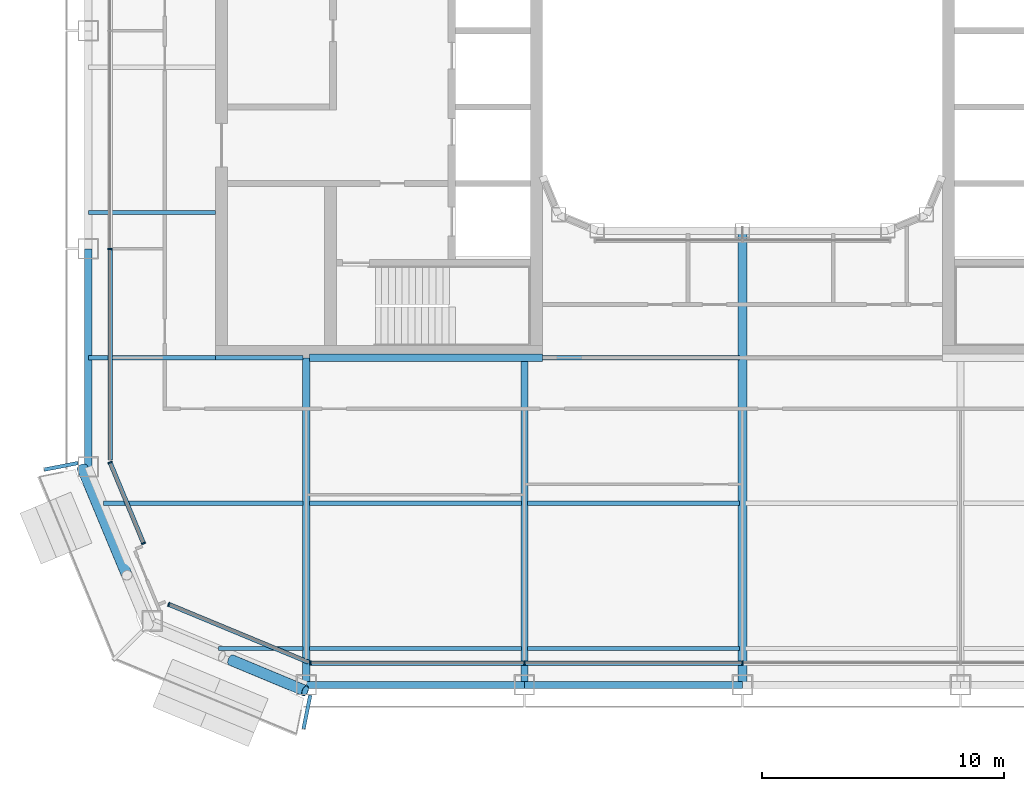
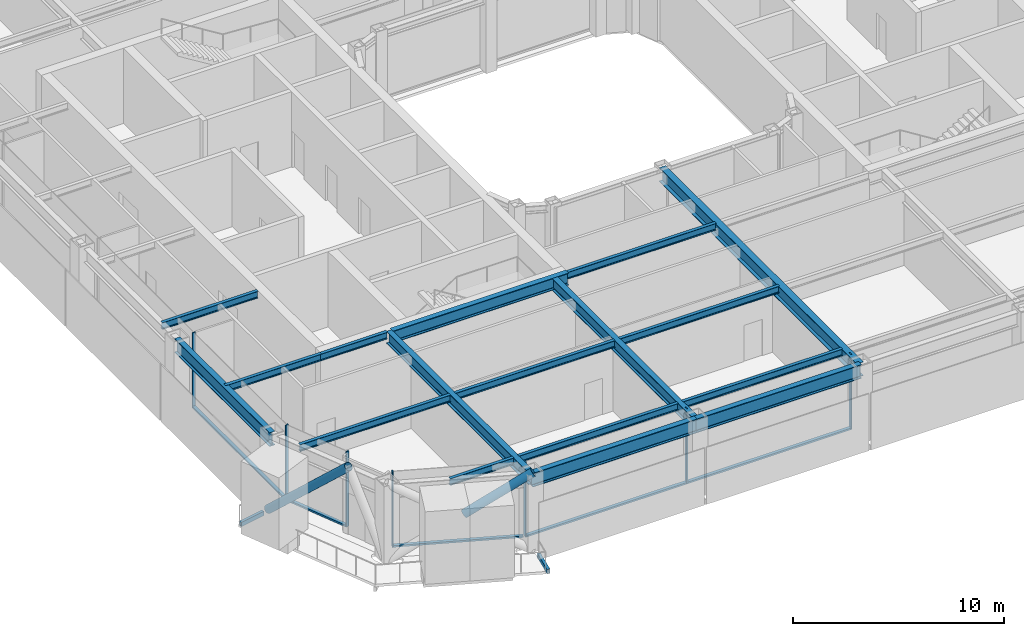
# One storey, part 2 of 23: 19 beams, 14 members, 4 elements without a shape of their own.
"""IFC4 building model written with IfcOpenShell, lengths in metres."""

from ifc_helpers import new_model, si_unit, direction, frame, origin, origin_2d, place, context, subcontext, project, spatial, rectangle, hollow_rectangle, hollow_circle, i_section, extrude, material, layer, layer_set, material_profile, profile_set, type_object, element, aggregate, save


model = new_model("IFC4")

# Units and contexts
model_context = context("Model", 3, precision=1e-05, world=origin(), true_north=direction((0.0, 1.0)))
body_context = subcontext(model_context, "Body", "Model", "MODEL_VIEW")
ifc_project = project(units=[si_unit("LENGTHUNIT", "METRE"), si_unit("AREAUNIT", "SQUARE_METRE"), si_unit("VOLUMEUNIT", "CUBIC_METRE"), si_unit("PLANEANGLEUNIT", "RADIAN"), si_unit("MASSUNIT", "GRAM", prefix="KILO")], contexts=[model_context])

# Site, building, storey
site_placement = place(None, origin())
site = spatial("IfcSite", under=ifc_project, at=site_placement, CompositionType="ELEMENT")
building_placement = place(site_placement, origin())
building = spatial("IfcBuilding", under=site, at=building_placement, Name="Siwar Civic Tower", CompositionType="ELEMENT")
storey_placement = place(building_placement, frame((0.0, 0.0, 233.199951171875)))
storey = spatial("IfcBuildingStorey", under=building, at=storey_placement, Name="L50", CompositionType="ELEMENT", Elevation=233.199951171875)

# Beams
ifc_material_1 = material(Name="Steel S355", Category="steel")
ifc_material_profile_1 = material_profile(ifc_material_1, hollow_rectangle(XDim=0.14990234375, YDim=0.25, WallThickness=0.010009765625, at=origin_2d()), Name="RHS250x150x10")
ifc_profile_set_1 = profile_set([ifc_material_profile_1], Name="Steel S355")
beam_type_1 = type_object("IfcBeamType", Name="ENV-BALCONY ARM", PredefinedType="BEAM", material=ifc_profile_set_1)
for number, where, z_axis, x_axis, name in (
    (1, (-27.425048828125, -17.83984375, -0.27490234375), (-0.980778884878, -0.195122471741, 0.0), (0.195122471741, -0.980778884878, 0.0), "Balcony cantilever beam SW 1"),
    (2, (-17.83984375, -27.425048828125, -0.27490234375), (-0.195122471741, -0.980778884878, 0.0), (0.980778884878, -0.195122471741, 0.0), "Balcony cantilever beam SW 3"),
):
    element("IfcBeam", number, at=place(storey_placement, frame(where, z_axis=z_axis, x_axis=x_axis)), inside=storey, type_object=beam_type_1, Name=name, PredefinedType="BEAM", context=body_context, shape_type="SweptSolid", body=[
        extrude(hollow_rectangle(XDim=0.14990234375, YDim=0.25, WallThickness=0.010009765625, at=origin_2d()), origin(), (0.0, 0.0, 1.0), 1.417724609375),
    ])

# Curtain wall, members
ifc_material_2 = material(Name="Aluminium and glass", Category="aluminium")
ifc_layer_1 = layer(ifc_material_2, 0.179931640625)
ifc_layer_set_1 = layer_set([ifc_layer_1], Name="Aluminium and glass")
curtain_wall_type_1 = type_object("IfcCurtainWallType", Name="ENV-CW-C", PredefinedType="NOTDEFINED", material=ifc_layer_set_1)
curtain_wall_1_placement = place(storey_placement, origin())
curtain_wall_1 = element("IfcCurtainWall", 3, at=curtain_wall_1_placement, inside=storey, type_object=curtain_wall_type_1, Name="Curtain wall C S", PredefinedType="NOTDEFINED")
ifc_material_3 = material(Name="Aluminium 6063-T6", Category="aluminium")
ifc_material_profile_2 = material_profile(ifc_material_3, rectangle(XDim=0.179931640625, YDim=0.06005859375, at=origin_2d()), Name="AL 180x60")
ifc_profile_set_2 = profile_set([ifc_material_profile_2], Name="Aluminium 6063-T6")
member_type_1 = type_object("IfcMemberType", Name="ENV-MULLION-C", PredefinedType="MULLION", material=ifc_profile_set_2)
member_1_placement = place(storey_placement, frame((-17.821044921875, -26.10009765625, 0.0), z_axis=(0.0, 0.0, 1.0), x_axis=(0.0, 1.0, 0.0)))
member_1 = element("IfcMember", 4, at=member_1_placement, type_object=member_type_1, Name="Mullion C S 1", PredefinedType="MULLION", context=body_context, shape_type="SweptSolid", body=[
    extrude(rectangle(XDim=0.179931640625, YDim=0.06005859375, at=origin_2d()), origin(), (0.0, 0.0, 1.0), 4.35009765625),
])
member_2_placement = place(storey_placement, frame((-9.0, -26.10009765625, 0.0), z_axis=(0.0, 0.0, 1.0), x_axis=(0.0, 1.0, 0.0)))
member_2 = element("IfcMember", 5, at=member_2_placement, type_object=member_type_1, Name="Mullion C S 2", PredefinedType="MULLION", context=body_context, shape_type="SweptSolid", body=[
    extrude(rectangle(XDim=0.179931640625, YDim=0.06005859375, at=origin_2d()), origin(), (0.0, 0.0, 1.0), 4.35009765625),
])
member_3_placement = place(storey_placement, frame((0.0, -26.10009765625, 0.0), z_axis=(0.0, 0.0, 1.0), x_axis=(0.0, 1.0, 0.0)))
member_3 = element("IfcMember", 6, at=member_3_placement, type_object=member_type_1, Name="Mullion C S 3", PredefinedType="MULLION", context=body_context, shape_type="SweptSolid", body=[
    extrude(rectangle(XDim=0.179931640625, YDim=0.06005859375, at=origin_2d()), origin(), (0.0, 0.0, 1.0), 4.35009765625),
])

# Curtain wall, member
curtain_wall_2_placement = place(storey_placement, origin())
curtain_wall_2 = element("IfcCurtainWall", 7, at=curtain_wall_2_placement, inside=storey, type_object=curtain_wall_type_1, Name="Curtain wall C W", PredefinedType="NOTDEFINED")
member_4_placement = place(storey_placement, frame((-26.10009765625, -9.0, 0.0), z_axis=(0.0, 0.0, 1.0), x_axis=(1.0, 0.0, 0.0)))
member_4 = element("IfcMember", 8, at=member_4_placement, type_object=member_type_1, Name="Mullion C W 4", PredefinedType="MULLION", context=body_context, shape_type="SweptSolid", body=[
    extrude(rectangle(XDim=0.179931640625, YDim=0.06005859375, at=origin_2d()), origin(), (0.0, 0.0, 1.0), 4.35009765625),
])

# Curtain wall, members
ifc_material_4 = material(Name="Aluminium clad insulated panel", Category="aluminium")
ifc_layer_2 = layer(ifc_material_4, 0.179931640625)
ifc_layer_set_2 = layer_set([ifc_layer_2], Name="Aluminium clad insulated panel")
curtain_wall_type_2 = type_object("IfcCurtainWallType", Name="ENV-CW-CX", PredefinedType="NOTDEFINED", material=ifc_layer_set_2)
curtain_wall_3_placement = place(storey_placement, origin())
curtain_wall_3 = element("IfcCurtainWall", 9, at=curtain_wall_3_placement, inside=storey, type_object=curtain_wall_type_2, Name="Curtain wall C SW1", PredefinedType="NOTDEFINED")
member_5_placement = place(storey_placement, frame((-26.10009765625, -17.821044921875, 0.0), z_axis=(0.0, 0.0, 1.0), x_axis=(0.923879532511, 0.382683432365, 0.0)))
member_5 = element("IfcMember", 10, at=member_5_placement, type_object=member_type_1, Name="Mullion C SW1 1", PredefinedType="MULLION", context=body_context, shape_type="SweptSolid", body=[
    extrude(rectangle(XDim=0.179931640625, YDim=0.06005859375, at=origin_2d()), origin(), (0.0, 0.0, 1.0), 4.35009765625),
])
member_6_placement = place(storey_placement, frame((-24.719482421875, -21.153564453125, 0.0), z_axis=(0.0, 0.0, 1.0), x_axis=(0.923879532511, 0.382683432365, 0.0)))
member_6 = element("IfcMember", 11, at=member_6_placement, type_object=member_type_1, Name="Mullion C SW1 2", PredefinedType="MULLION", context=body_context, shape_type="SweptSolid", body=[
    extrude(rectangle(XDim=0.179931640625, YDim=0.06005859375, at=origin_2d()), origin(), (0.0, 0.0, 1.0), 4.35009765625),
])

# Curtain wall, member
curtain_wall_4_placement = place(storey_placement, origin())
curtain_wall_4 = element("IfcCurtainWall", 12, at=curtain_wall_4_placement, inside=storey, type_object=curtain_wall_type_2, Name="Curtain wall C SW2", PredefinedType="NOTDEFINED")
member_7_placement = place(storey_placement, frame((-23.675048828125, -23.675048828125, 0.0), z_axis=(0.0, 0.0, 1.0), x_axis=(0.382683432365, 0.923879532511, 0.0)))
member_7 = element("IfcMember", 13, at=member_7_placement, type_object=member_type_1, Name="Mullion C SW2 1", PredefinedType="MULLION", context=body_context, shape_type="SweptSolid", body=[
    extrude(rectangle(XDim=0.179931640625, YDim=0.06005859375, at=origin_2d()), origin(), (0.0, 0.0, 1.0), 4.35009765625),
])

# Member
ifc_material_5 = material(Name="Aluminium 6063-T6", Category="aluminium")
ifc_material_profile_3 = material_profile(ifc_material_5, rectangle(XDim=0.179931640625, YDim=0.10009765625, at=origin_2d()), Name="AL 180x100")
ifc_profile_set_3 = profile_set([ifc_material_profile_3], Name="Aluminium 6063-T6")
member_type_2 = type_object("IfcMemberType", Name="ENV-TRANSOM-C", PredefinedType="USERDEFINED", material=ifc_profile_set_3)
member_8_placement = place(storey_placement, frame((-17.791015625, -26.10009765625, 0.050048828125), z_axis=(1.0, 0.0, 0.0), x_axis=(0.0, 1.0, 0.0)))
member_8 = element("IfcMember", 14, at=member_8_placement, type_object=member_type_2, Name="Transom C S 1", ObjectType="TRANSOM", PredefinedType="USERDEFINED", context=body_context, shape_type="SweptSolid", body=[
    extrude(rectangle(XDim=0.179931640625, YDim=0.10009765625, at=origin_2d()), origin(), (0.0, 0.0, 1.0), 8.760986328125),
])

member_9_placement = place(storey_placement, frame((-8.969970703125, -26.10009765625, 0.050048828125), z_axis=(1.0, 0.0, 0.0), x_axis=(0.0, 1.0, 0.0)))
member_9 = element("IfcMember", 15, at=member_9_placement, type_object=member_type_2, Name="Transom C S 2", ObjectType="TRANSOM", PredefinedType="USERDEFINED", context=body_context, shape_type="SweptSolid", body=[
    extrude(rectangle(XDim=0.179931640625, YDim=0.10009765625, at=origin_2d()), origin(), (0.0, 0.0, 1.0), 8.93994140625),
])

aggregate(curtain_wall_1, [member_1, member_2, member_3, member_8, member_9])

member_10_placement = place(storey_placement, frame((-26.10009765625, -9.030029296875, 0.050048828125), z_axis=(0.0, -1.0, 0.0), x_axis=(1.0, 0.0, 0.0)))
member_10 = element("IfcMember", 16, at=member_10_placement, type_object=member_type_2, Name="Transom C W 4", ObjectType="TRANSOM", PredefinedType="USERDEFINED", context=body_context, shape_type="SweptSolid", body=[
    extrude(rectangle(XDim=0.179931640625, YDim=0.10009765625, at=origin_2d()), origin(), (0.0, 0.0, 1.0), 8.68603515625),
])

aggregate(curtain_wall_2, [member_4, member_10])

member_11_placement = place(storey_placement, frame((-26.088623046875, -17.8486328125, 0.050048828125), z_axis=(0.3827185099, -0.92386500214, 0.0), x_axis=(0.92386500214, 0.3827185099, 0.0)))
member_11 = element("IfcMember", 17, at=member_11_placement, type_object=member_type_2, Name="Transom C SW1 1", ObjectType="TRANSOM", PredefinedType="USERDEFINED", context=body_context, shape_type="SweptSolid", body=[
    extrude(rectangle(XDim=0.179931640625, YDim=0.10009765625, at=origin_2d()), origin(), (0.0, 0.0, 1.0), 3.54736328125),
])

aggregate(curtain_wall_3, [member_5, member_6, member_11])

member_12_placement = place(storey_placement, frame((-23.6474609375, -23.6865234375, 0.050048828125), z_axis=(0.923876246063, -0.382691366456, 0.0), x_axis=(0.382691366456, 0.923876246063, 0.0)))
member_12 = element("IfcMember", 18, at=member_12_placement, type_object=member_type_2, Name="Transom C SW2 1", ObjectType="TRANSOM", PredefinedType="USERDEFINED", context=body_context, shape_type="SweptSolid", body=[
    extrude(rectangle(XDim=0.179931640625, YDim=0.10009765625, at=origin_2d()), origin(), (0.0, 0.0, 1.0), 6.20166015625),
])

aggregate(curtain_wall_4, [member_7, member_12])

# Members
ifc_material_6 = material(Name="Steel S355", Category="steel")
ifc_material_profile_4 = material_profile(ifc_material_6, hollow_circle(Radius=0.228515625, WallThickness=0.02001953125, at=origin_2d()), Name="CHS457x20")
ifc_profile_set_4 = profile_set([ifc_material_profile_4], Name="Steel S355")
member_type_3 = type_object("IfcMemberType", Name="STR-BR-CHS457x20", PredefinedType="BRACE", material=ifc_profile_set_4)
member_13_placement = place(storey_placement, frame((-21.10302734375, -25.972900390625, 2.383056640625), z_axis=(0.777572496853, -0.323895306243, 0.538955325357), x_axis=(0.38452107079, 0.92311621485, 0.0)))
element("IfcMember", 19, at=member_13_placement, inside=storey, type_object=member_type_3, Name="L50/brc/CSW1-10-0-3", PredefinedType="BRACE", context=body_context, shape_type="SweptSolid", body=[
    extrude(hollow_circle(Radius=0.228515625, WallThickness=0.02001953125, at=origin_2d()), origin(), (0.0, 0.0, 1.0), 3.927978515625),
])
member_14_placement = place(storey_placement, frame((-27.2451171875, -18.048828125, 0.0), z_axis=(0.280310719993, -0.672864582402, 0.684601456328), x_axis=(0.923101041979, 0.384557494138, 0.0)))
element("IfcMember", 20, at=member_14_placement, inside=storey, type_object=member_type_3, Name="L50/brc/CSW1-10-0-0", PredefinedType="BRACE", context=body_context, shape_type="SweptSolid", body=[
    extrude(hollow_circle(Radius=0.228515625, WallThickness=0.02001953125, at=origin_2d()), origin(), (0.0, 0.0, 1.0), 6.5732421875),
])

# Beams
ifc_material_7 = material(Name="Steel S355", Category="steel")
ifc_material_profile_5 = material_profile(ifc_material_7, i_section(OverallWidth=0.179931640625, OverallDepth=0.39990234375, WebThickness=0.008544921875, FlangeThickness=0.013427734375, FilletRadius=0.02099609375, at=origin_2d()), Name="IPE400")
ifc_profile_set_5 = profile_set([ifc_material_profile_5], Name="Steel S355")
beam_type_2 = type_object("IfcBeamType", Name="STR-FB-IPE400", PredefinedType="JOIST", material=ifc_profile_set_5)
beam_1_placement = place(storey_placement, frame((-21.621337890625, -25.5, 4.150146484375), z_axis=(1.0, 0.0, 0.0), x_axis=(0.0, 1.0, 0.0)))
element("IfcBeam", 21, at=beam_1_placement, inside=storey, type_object=beam_type_2, Name="L50/bm/F001", PredefinedType="JOIST", context=body_context, shape_type="SweptSolid", body=[
    extrude(i_section(OverallWidth=0.179931640625, OverallDepth=0.39990234375, WebThickness=0.008544921875, FlangeThickness=0.013427734375, FilletRadius=0.02099609375, at=origin_2d()), origin(), (0.0, 0.0, 1.0), 3.491455078125),
])
for number, where, z_axis, x_axis, name in (
    (22, (-17.8701171875, -25.5, 4.150146484375), (1.0, 0.0, 0.0), (0.0, 1.0, 0.0), "L50/bm/F002"),
    (23, (-8.8701171875, -25.5, 4.150146484375), (1.0, 0.0, 0.0), (0.0, 1.0, 0.0), "L50/bm/F003"),
):
    element("IfcBeam", number, at=place(storey_placement, frame(where, z_axis=z_axis, x_axis=x_axis)), inside=storey, type_object=beam_type_2, Name=name, PredefinedType="JOIST", context=body_context, shape_type="SweptSolid", body=[
        extrude(i_section(OverallWidth=0.179931640625, OverallDepth=0.39990234375, WebThickness=0.008544921875, FlangeThickness=0.013427734375, FilletRadius=0.02099609375, at=origin_2d()), origin(), (0.0, 0.0, 1.0), 8.740234375),
    ])
beam_2_placement = place(storey_placement, frame((-26.378662109375, -19.5, 4.150146484375), z_axis=(1.0, 0.0, 0.0), x_axis=(0.0, 1.0, 0.0)))
element("IfcBeam", 24, at=beam_2_placement, inside=storey, type_object=beam_type_2, Name="L50/bm/F007", PredefinedType="JOIST", context=body_context, shape_type="SweptSolid", body=[
    extrude(i_section(OverallWidth=0.179931640625, OverallDepth=0.39990234375, WebThickness=0.008544921875, FlangeThickness=0.013427734375, FilletRadius=0.02099609375, at=origin_2d()), origin(), (0.0, 0.0, 1.0), 8.248779296875),
])
for number, where, z_axis, x_axis, name in (
    (25, (-17.8701171875, -19.5, 4.150146484375), (1.0, 0.0, 0.0), (0.0, 1.0, 0.0), "L50/bm/F008"),
    (26, (-8.8701171875, -19.5, 4.150146484375), (1.0, 0.0, 0.0), (0.0, 1.0, 0.0), "L50/bm/F009"),
):
    element("IfcBeam", number, at=place(storey_placement, frame(where, z_axis=z_axis, x_axis=x_axis)), inside=storey, type_object=beam_type_2, Name=name, PredefinedType="JOIST", context=body_context, shape_type="SweptSolid", body=[
        extrude(i_section(OverallWidth=0.179931640625, OverallDepth=0.39990234375, WebThickness=0.008544921875, FlangeThickness=0.013427734375, FilletRadius=0.02099609375, at=origin_2d()), origin(), (0.0, 0.0, 1.0), 8.740234375),
    ])
beam_3_placement = place(storey_placement, frame((-27.0, -13.5, 4.150146484375), z_axis=(1.0, 0.0, 0.0), x_axis=(0.0, 1.0, 0.0)))
element("IfcBeam", 27, at=beam_3_placement, inside=storey, type_object=beam_type_2, Name="L50/bm/F013", PredefinedType="JOIST", context=body_context, shape_type="SweptSolid", body=[
    extrude(i_section(OverallWidth=0.179931640625, OverallDepth=0.39990234375, WebThickness=0.008544921875, FlangeThickness=0.013427734375, FilletRadius=0.02099609375, at=origin_2d()), origin(), (0.0, 0.0, 1.0), 5.25),
])
beam_4_placement = place(storey_placement, frame((-21.75, -13.5, 4.150146484375), z_axis=(1.0, 0.0, 0.0), x_axis=(0.0, 1.0, 0.0)))
element("IfcBeam", 28, at=beam_4_placement, inside=storey, type_object=beam_type_2, Name="L50/bm/F014", PredefinedType="JOIST", context=body_context, shape_type="SweptSolid", body=[
    extrude(i_section(OverallWidth=0.179931640625, OverallDepth=0.39990234375, WebThickness=0.008544921875, FlangeThickness=0.013427734375, FilletRadius=0.02099609375, at=origin_2d()), origin(), (0.0, 0.0, 1.0), 3.6201171875),
])
beam_5_placement = place(storey_placement, frame((-8.25, -13.5, 4.150146484375), z_axis=(1.0, 0.0, 0.0), x_axis=(0.0, 1.0, 0.0)))
element("IfcBeam", 29, at=beam_5_placement, inside=storey, type_object=beam_type_2, Name="L50/bm/F016", PredefinedType="JOIST", context=body_context, shape_type="SweptSolid", body=[
    extrude(i_section(OverallWidth=0.179931640625, OverallDepth=0.39990234375, WebThickness=0.008544921875, FlangeThickness=0.013427734375, FilletRadius=0.02099609375, at=origin_2d()), origin(), (0.0, 0.0, 1.0), 8.1201171875),
])
beam_6_placement = place(storey_placement, frame((-27.0, -7.5, 4.150146484375), z_axis=(1.0, 0.0, 0.0), x_axis=(0.0, 1.0, 0.0)))
element("IfcBeam", 30, at=beam_6_placement, inside=storey, type_object=beam_type_2, Name="L50/bm/F021", PredefinedType="JOIST", context=body_context, shape_type="SweptSolid", body=[
    extrude(i_section(OverallWidth=0.179931640625, OverallDepth=0.39990234375, WebThickness=0.008544921875, FlangeThickness=0.013427734375, FilletRadius=0.02099609375, at=origin_2d()), origin(), (0.0, 0.0, 1.0), 5.25),
])
ifc_material_8 = material(Name="Steel S355", Category="steel")
ifc_material_profile_6 = material_profile(ifc_material_8, i_section(OverallWidth=0.300048828125, OverallDepth=0.699951171875, WebThickness=0.01708984375, FlangeThickness=0.031982421875, FilletRadius=0.027099609375, at=origin_2d()), Name="HEB700")
ifc_profile_set_6 = profile_set([ifc_material_profile_6], Name="Steel S355")
beam_type_3 = type_object("IfcBeamType", Name="STR-PG-HEB700", PredefinedType="BEAM", material=ifc_profile_set_6)
for number, where, z_axis, x_axis, name in (
    (31, (-18.0, -27.0, 4.0), (0.0, 1.0, 0.0), (-1.0, 0.0, 0.0), "L50/bm/G01"),
    (32, (-9.0, -27.0, 4.0), (0.0, 1.0, 0.0), (-1.0, 0.0, 0.0), "L50/bm/G03"),
):
    element("IfcBeam", number, at=place(storey_placement, frame(where, z_axis=z_axis, x_axis=x_axis)), inside=storey, type_object=beam_type_3, Name=name, PredefinedType="BEAM", context=body_context, shape_type="SweptSolid", body=[
        extrude(i_section(OverallWidth=0.300048828125, OverallDepth=0.699951171875, WebThickness=0.01708984375, FlangeThickness=0.031982421875, FilletRadius=0.027099609375, at=origin_2d()), origin(), (0.0, 0.0, 1.0), 13.5),
    ])
beam_7_placement = place(storey_placement, frame((-17.8701171875, -13.5, 4.0), z_axis=(1.0, 0.0, 0.0), x_axis=(0.0, 1.0, 0.0)))
element("IfcBeam", 33, at=beam_7_placement, inside=storey, type_object=beam_type_3, Name="L50/bm/F015", PredefinedType="BEAM", context=body_context, shape_type="SweptSolid", body=[
    extrude(i_section(OverallWidth=0.300048828125, OverallDepth=0.699951171875, WebThickness=0.01708984375, FlangeThickness=0.031982421875, FilletRadius=0.027099609375, at=origin_2d()), origin(), (0.0, 0.0, 1.0), 9.6201171875),
])
ifc_material_9 = material(Name="Steel S355", Category="steel")
ifc_material_profile_7 = material_profile(ifc_material_9, i_section(OverallWidth=0.360107421875, OverallDepth=0.800048828125, WebThickness=0.013916015625, FlangeThickness=0.031982421875, at=origin_2d()), Name="PG800x360x14x32")
ifc_profile_set_7 = profile_set([ifc_material_profile_7], Name="Steel S355")
beam_type_4 = type_object("IfcBeamType", Name="STR-PG-PG800x360x14x32", PredefinedType="BEAM", material=ifc_profile_set_7)
beam_8_placement = place(storey_placement, frame((0.0, -27.0, 3.949951171875), z_axis=(0.0, 1.0, 0.0), x_axis=(-1.0, 0.0, 0.0)))
element("IfcBeam", 34, at=beam_8_placement, inside=storey, type_object=beam_type_4, Name="L50/bm/G05", PredefinedType="BEAM", context=body_context, shape_type="SweptSolid", body=[
    extrude(i_section(OverallWidth=0.360107421875, OverallDepth=0.800048828125, WebThickness=0.013916015625, FlangeThickness=0.031982421875, at=origin_2d()), origin(), (0.0, 0.0, 1.0), 18.75),
])
ifc_material_10 = material(Name="Steel S355", Category="steel")
ifc_material_profile_8 = material_profile(ifc_material_10, i_section(OverallWidth=0.300048828125, OverallDepth=0.800048828125, WebThickness=0.017578125, FlangeThickness=0.032958984375, FilletRadius=0.030029296875, at=origin_2d()), Name="HEB800")
ifc_profile_set_8 = profile_set([ifc_material_profile_8], Name="Steel S355")
beam_type_5 = type_object("IfcBeamType", Name="STR-SB-HEB800", PredefinedType="BEAM", material=ifc_profile_set_8)
for number, where, z_axis, x_axis, name in (
    (35, (-18.0, -27.0, 3.949951171875), (1.0, 0.0, 0.0), (0.0, 1.0, 0.0), "L50/bm/SS-0"),
    (36, (-9.0, -27.0, 3.949951171875), (1.0, 0.0, 0.0), (0.0, 1.0, 0.0), "L50/bm/SS-1"),
    (37, (-27.0, -9.0, 3.949951171875), (0.0, -1.0, 0.0), (1.0, 0.0, 0.0), "L50/bm/SW-3"),
):
    element("IfcBeam", number, at=place(storey_placement, frame(where, z_axis=z_axis, x_axis=x_axis)), inside=storey, type_object=beam_type_5, Name=name, PredefinedType="BEAM", context=body_context, shape_type="SweptSolid", body=[
        extrude(i_section(OverallWidth=0.300048828125, OverallDepth=0.800048828125, WebThickness=0.017578125, FlangeThickness=0.032958984375, FilletRadius=0.030029296875, at=origin_2d()), origin(), (0.0, 0.0, 1.0), 9.0),
    ])

save(model, "model.ifc")
